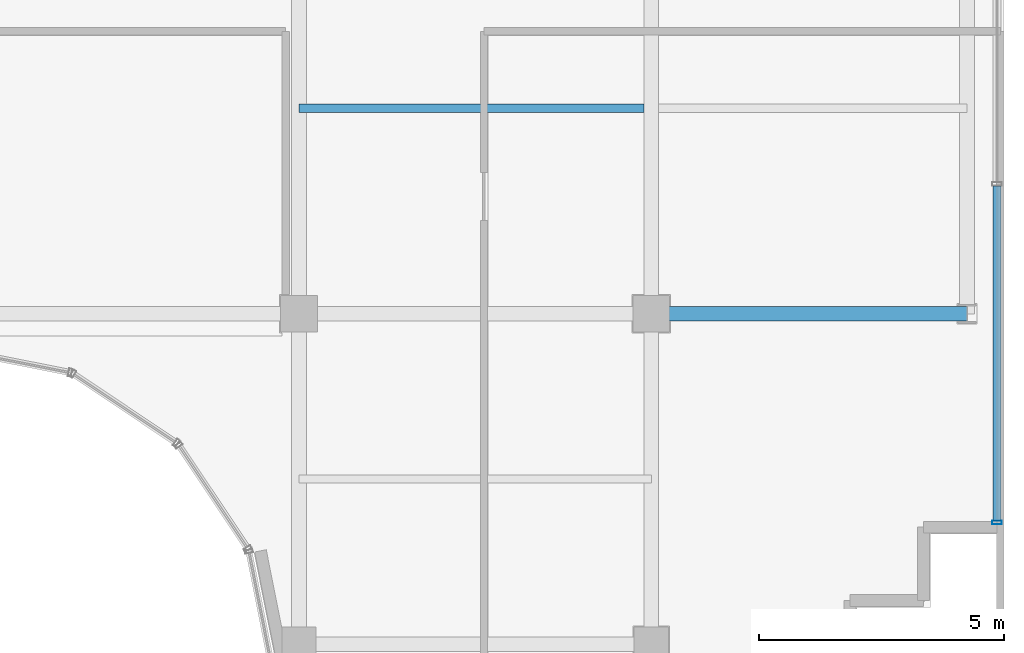
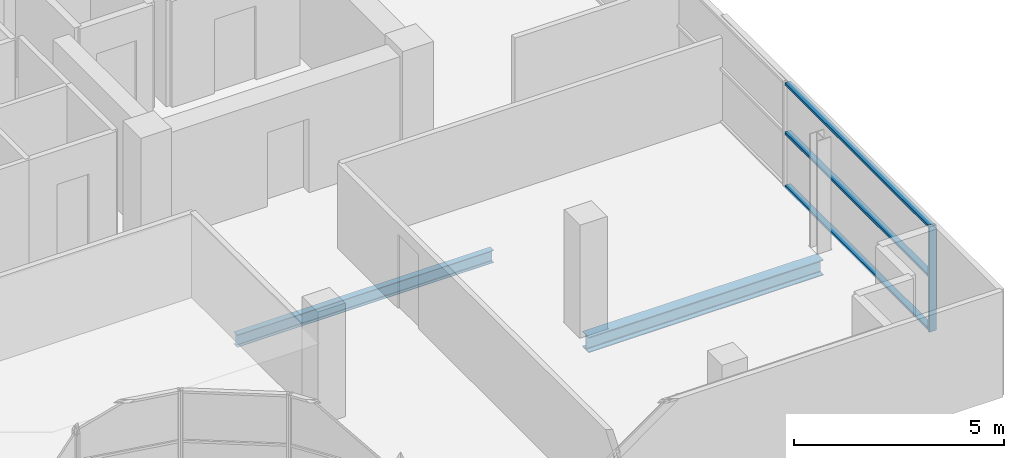
# One storey, part 12 of 28: 4 members, 2 beams, 1 element without a shape of its own.
"""IFC4 building model written with IfcOpenShell, lengths in metres."""

from ifc_helpers import new_model, si_unit, direction, frame, origin, origin_2d, place, context, subcontext, project, spatial, hollow_rectangle, i_section, extrude, source, transform, mapped, material, layer, layer_set, material_profile, profile_set, type_object, element, aggregate, save


model = new_model("IFC4")

# Units and contexts
model_context = context("Model", 3, precision=1e-05, world=origin(), true_north=direction((0.0, 1.0)))
body_context = subcontext(model_context, "Body", "Model", "MODEL_VIEW")
ifc_project = project(units=[si_unit("LENGTHUNIT", "METRE"), si_unit("AREAUNIT", "SQUARE_METRE"), si_unit("VOLUMEUNIT", "CUBIC_METRE"), si_unit("PLANEANGLEUNIT", "RADIAN"), si_unit("MASSUNIT", "GRAM", prefix="KILO")], contexts=[model_context])

# Site, building, storey
site_placement = place(None, origin())
site = spatial("IfcSite", under=ifc_project, at=site_placement, CompositionType="ELEMENT")
building_placement = place(site_placement, origin())
building = spatial("IfcBuilding", under=site, at=building_placement, Name="Zarnakvel Exchange Tower", CompositionType="ELEMENT")
storey_placement = place(building_placement, frame((0.0, 0.0, 268.300048828125)))
storey = spatial("IfcBuildingStorey", under=building, at=storey_placement, Name="L76", CompositionType="ELEMENT", Elevation=268.300048828125)

# Beams
ifc_material_1 = material(Name="Steel S355", Category="steel")
ifc_material_profile_1 = material_profile(ifc_material_1, i_section(OverallWidth=0.169921875, OverallDepth=0.360107421875, WebThickness=0.008056640625, FlangeThickness=0.0126953125, FilletRadius=0.01806640625, at=origin_2d()))
ifc_profile_set_1 = profile_set([ifc_material_profile_1], Name="Steel S355")
beam_type_1 = type_object("IfcBeamType", Name="B-07", PredefinedType="JOIST", material=ifc_profile_set_1)
beam_1_placement = place(storey_placement, frame((7.199951171875, -5.39990234375, -0.405029296875), z_axis=(1.0, 0.0, 0.0), x_axis=(0.0, 1.0, 0.0)))
element("IfcBeam", 1, at=beam_1_placement, inside=storey, type_object=beam_type_1, Name="L76 Composite Floor Secondary Joist", PredefinedType="JOIST", context=body_context, shape_type="SweptSolid", body=[
    extrude(i_section(OverallWidth=0.169921875, OverallDepth=0.360107421875, WebThickness=0.008056640625, FlangeThickness=0.0126953125, FilletRadius=0.01806640625, at=origin_2d()), origin(), (0.0, 0.0, 1.0), 7.050048828125),
])
ifc_material_profile_2 = material_profile(ifc_material_1, i_section(OverallWidth=0.300048828125, OverallDepth=0.449951171875, WebThickness=0.013916015625, FlangeThickness=0.02587890625, FilletRadius=0.027099609375, at=origin_2d()))
ifc_profile_set_2 = profile_set([ifc_material_profile_2], Name="Steel S355")
beam_type_2 = type_object("IfcBeamType", Name="G-07", PredefinedType="BEAM", material=ifc_profile_set_2)
beam_2_placement = place(storey_placement, frame((14.39990234375, -9.60009765625, -0.449951171875), z_axis=(1.0, 0.0, 0.0), x_axis=(0.0, 1.0, 0.0)))
element("IfcBeam", 2, at=beam_2_placement, inside=storey, type_object=beam_type_2, Name="L76 Tower E-W Frame Beam", PredefinedType="BEAM", context=body_context, shape_type="SweptSolid", body=[
    extrude(i_section(OverallWidth=0.300048828125, OverallDepth=0.449951171875, WebThickness=0.013916015625, FlangeThickness=0.02587890625, FilletRadius=0.027099609375, at=origin_2d()), origin(), (0.0, 0.0, 1.0), 6.4501953125),
])

# Curtain wall, members
ifc_material_2 = material(Name="Architectural Bronze Anodised Aluminium", Category="aluminium")
ifc_layer = layer(ifc_material_2, 0.199951171875)
ifc_layer_set = layer_set([ifc_layer], Name="Architectural Bronze Anodised Aluminium")
curtain_wall_type = type_object("IfcCurtainWallType", Name="CW-04", PredefinedType="NOTDEFINED", material=ifc_layer_set)
curtain_wall_placement = place(storey_placement, origin())
curtain_wall = element("IfcCurtainWall", 3, at=curtain_wall_placement, inside=storey, type_object=curtain_wall_type, Name="L76 Curtain Wall CW-L76-E1 (CW-04)", PredefinedType="NOTDEFINED")
ifc_material_profile_3 = material_profile(ifc_material_2, hollow_rectangle(XDim=0.159912109375, YDim=0.074951171875, WallThickness=0.00390625, at=origin_2d()))
ifc_profile_set_3 = profile_set([ifc_material_profile_3], Name="Architectural Bronze Anodised Aluminium")
member_type_1 = type_object("IfcMemberType", Name="CWT-04", PredefinedType="USERDEFINED", material=ifc_profile_set_3)
shared_shape_1 = source(origin(), body_context, "Body", "SweptSolid", [
    extrude(hollow_rectangle(XDim=0.159912109375, YDim=0.074951171875, WallThickness=0.00390625, at=origin_2d()), origin(), (0.0, 0.0, 1.0), 6.83740234375),
])
member_1_placement = place(storey_placement, frame((21.4599609375, -13.824951171875, 0.037353515625), z_axis=(0.0, 1.0, 0.0), x_axis=(-1.0, 0.0, 0.0)))
member_1 = element("IfcMember", 4, at=member_1_placement, type_object=member_type_1, Name="CW-04 transom 1.1", ObjectType="TRANSOM", PredefinedType="USERDEFINED", context=body_context, shape_type="MappedRepresentation", body=[
    mapped(shared_shape_1, transform((0.0, 0.0, 0.0), x_axis=(1.0, 0.0, 0.0), y_axis=(0.0, 1.0, 0.0), z_axis=(0.0, 0.0, 1.0), scale=1.0)),
])
member_2_placement = place(storey_placement, frame((21.4599609375, -13.824951171875, 1.591064453125), z_axis=(0.0, 1.0, 0.0), x_axis=(-1.0, 0.0, 0.0)))
member_2 = element("IfcMember", 5, at=member_2_placement, type_object=member_type_1, Name="CW-04 transom 1.2", ObjectType="TRANSOM", PredefinedType="USERDEFINED", context=body_context, shape_type="MappedRepresentation", body=[
    mapped(shared_shape_1, transform((0.0, 0.0, 0.0), x_axis=(1.0, 0.0, 0.0), y_axis=(0.0, 1.0, 0.0), z_axis=(0.0, 0.0, 1.0), scale=1.0)),
])
member_3_placement = place(storey_placement, frame((21.4599609375, -13.824951171875, 3.0224609375), z_axis=(0.0, 1.0, 0.0), x_axis=(-1.0, 0.0, 0.0)))
member_3 = element("IfcMember", 6, at=member_3_placement, type_object=member_type_1, Name="CW-04 transom 1.3", ObjectType="TRANSOM", PredefinedType="USERDEFINED", context=body_context, shape_type="MappedRepresentation", body=[
    mapped(shared_shape_1, transform((0.0, 0.0, 0.0), x_axis=(1.0, 0.0, 0.0), y_axis=(0.0, 1.0, 0.0), z_axis=(0.0, 0.0, 1.0), scale=1.0)),
])
ifc_material_profile_4 = material_profile(ifc_material_2, hollow_rectangle(XDim=0.199951171875, YDim=0.074951171875, WallThickness=0.0048828125, at=origin_2d()))
ifc_profile_set_4 = profile_set([ifc_material_profile_4], Name="Architectural Bronze Anodised Aluminium")
member_type_2 = type_object("IfcMemberType", Name="CWM-04", PredefinedType="MULLION", material=ifc_profile_set_4)
shared_shape_2 = source(origin(), body_context, "Body", "SweptSolid", [
    extrude(hollow_rectangle(XDim=0.199951171875, YDim=0.074951171875, WallThickness=0.0048828125, at=origin_2d()), origin(), (0.0, 0.0, 1.0), 3.06005859375),
])
member_4_placement = place(storey_placement, frame((21.4599609375, -13.862548828125, 0.0), z_axis=(0.0, 0.0, 1.0), x_axis=(-1.0, 0.0, 0.0)))
member_4 = element("IfcMember", 7, at=member_4_placement, type_object=member_type_2, Name="CW-04 mullion 1", PredefinedType="MULLION", context=body_context, shape_type="MappedRepresentation", body=[
    mapped(shared_shape_2, transform((0.0, 0.0, 0.0), x_axis=(1.0, 0.0, 0.0), y_axis=(0.0, 1.0, 0.0), z_axis=(0.0, 0.0, 1.0), scale=1.0)),
])
aggregate(curtain_wall, [member_4, member_1, member_2, member_3])

save(model, "model.ifc")
